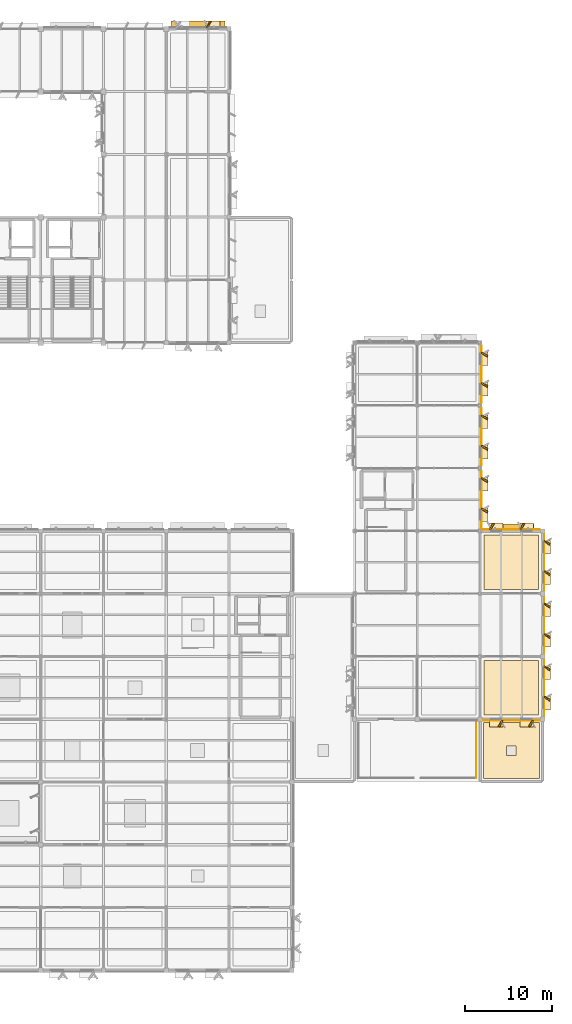
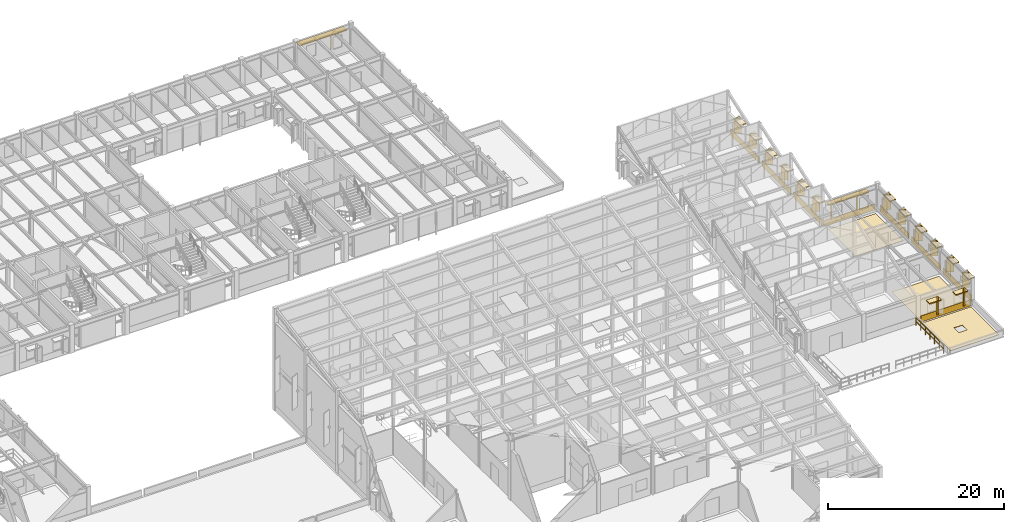
# One storey, part 82 of 82: 45 coverings, 2 shading devices, 1 railing.
"""IFC4 building model written with IfcOpenShell, lengths in metres."""

from ifc_helpers import new_model, si_unit, direction, frame, frame_2d, origin, origin_2d, place, context, subcontext, project, spatial, polyline, rectangle, circle, outline, extrude, material, layer, layer_set, type_object, element, save


model = new_model("IFC4")

# Units and contexts
model_context = context("Model", 3, precision=1e-05, world=origin(), true_north=direction((0.0, 1.0)))
body_context = subcontext(model_context, "Body", "Model", "MODEL_VIEW")
ifc_project = project(units=[si_unit("LENGTHUNIT", "METRE"), si_unit("AREAUNIT", "SQUARE_METRE"), si_unit("VOLUMEUNIT", "CUBIC_METRE"), si_unit("PLANEANGLEUNIT", "RADIAN"), si_unit("MASSUNIT", "GRAM", prefix="KILO")], contexts=[model_context])

# Site, building, storey
site_placement = place(None, origin())
site = spatial("IfcSite", under=ifc_project, at=site_placement, CompositionType="ELEMENT")
building_placement = place(site_placement, origin())
building = spatial("IfcBuilding", under=site, at=building_placement, Name="Sillqori Civic Hall", CompositionType="ELEMENT")
storey_placement = place(building_placement, frame((0.0, 0.0, 14.10009765625)))
storey = spatial("IfcBuildingStorey", under=building, at=storey_placement, Name="L04", CompositionType="ELEMENT", Elevation=14.10009765625)

# Coverings
ifc_material_1 = material(Name="Cochabamba Honed Limestone Cladding", Category="masonry")
ifc_layer_1 = layer(ifc_material_1, 0.044921875)
ifc_layer_set_1 = layer_set([ifc_layer_1], Name="Cochabamba Honed Limestone Cladding")
covering_type_1 = type_object("IfcCoveringType", Name="COV-CLAD-LIME", PredefinedType="CLADDING", material=ifc_layer_set_1)
covering_1_placement = place(storey_placement, frame((105.43408203125, 115.320068359375, 0.829833984375), z_axis=(0.0, 0.0, 1.0), x_axis=(0.499846793097, 0.866113839764, 0.0)))
element("IfcCovering", 1, at=covering_1_placement, inside=storey, type_object=covering_type_1, Name="Sawtooth limestone angled reveal cheek L04-14-15-N.2", PredefinedType="CLADDING", context=body_context, shape_type="SweptSolid", body=[
    extrude(rectangle(XDim=0.849853515625, YDim=0.179931640625, at=frame_2d((0.4248046875, 0.0))), origin(), (0.0, 0.0, 1.0), 2.0),
])
covering_2_placement = place(storey_placement, frame((105.3740234375, 115.699951171875, 2.68994140625), z_axis=(0.0, 0.0, 1.0), x_axis=(1.0, 0.0, 0.0)))
element("IfcCovering", 2, at=covering_2_placement, inside=storey, type_object=covering_type_1, Name="Sawtooth limestone window hood L04-14-15-N.2", PredefinedType="CLADDING", context=body_context, shape_type="SweptSolid", body=[
    extrude(rectangle(XDim=1.56005859375, YDim=0.780029296875, at=frame_2d((0.780029296875, 0.0))), origin(), (0.0, 0.0, 1.0), 0.139892578125),
])
covering_3_placement = place(storey_placement, frame((136.969970703125, 64.469970703125, 0.039794921875), z_axis=(0.0, 0.0, 1.0), x_axis=(0.0, -1.0, 0.0)))
element("IfcCovering", 3, at=covering_3_placement, inside=storey, type_object=covering_type_1, Name="L04 limestone spandrel cladding L04-18-08-E", PredefinedType="CLADDING", context=body_context, shape_type="SweptSolid", body=[
    extrude(rectangle(XDim=6.5400390625, YDim=0.044921875, at=frame_2d((3.27001953125, 0.0))), origin(), (0.0, 0.0, 1.0), 0.860107421875),
])
covering_4_placement = place(storey_placement, frame((136.929931640625, 63.662109375, 0.829833984375), z_axis=(0.0, 0.0, 1.0), x_axis=(0.865989465428, -0.500062241894, 0.0)))
element("IfcCovering", 4, at=covering_4_placement, inside=storey, type_object=covering_type_1, Name="Sawtooth limestone angled reveal cheek L04-18-08-E.1", PredefinedType="CLADDING", context=body_context, shape_type="SweptSolid", body=[
    extrude(rectangle(XDim=0.85009765625, YDim=0.179931640625, at=frame_2d((0.425048828125, 0.0))), origin(), (0.0, 0.0, 1.0), 2.0),
])
covering_5_placement = place(storey_placement, frame((137.31005859375, 63.721923828125, 2.68994140625), z_axis=(0.0, 0.0, 1.0), x_axis=(0.0, -1.0, 0.0)))
element("IfcCovering", 5, at=covering_5_placement, inside=storey, type_object=covering_type_1, Name="Sawtooth limestone window hood L04-18-08-E.1", PredefinedType="CLADDING", context=body_context, shape_type="SweptSolid", body=[
    extrude(rectangle(XDim=1.559814453125, YDim=0.780029296875, at=frame_2d((0.77978515625, 0.0))), origin(), (0.0, 0.0, 1.0), 0.139892578125),
])
covering_6_placement = place(storey_placement, frame((136.929931640625, 60.177978515625, 0.829833984375), z_axis=(0.0, 0.0, 1.0), x_axis=(0.865989465428, -0.500062241894, 0.0)))
element("IfcCovering", 6, at=covering_6_placement, inside=storey, type_object=covering_type_1, Name="Sawtooth limestone angled reveal cheek L04-18-08-E.2", PredefinedType="CLADDING", context=body_context, shape_type="SweptSolid", body=[
    extrude(rectangle(XDim=0.85009765625, YDim=0.179931640625, at=frame_2d((0.425048828125, 0.0))), origin(), (0.0, 0.0, 1.0), 2.0),
])
covering_7_placement = place(storey_placement, frame((137.31005859375, 60.238037109375, 2.68994140625), z_axis=(0.0, 0.0, 1.0), x_axis=(0.0, -1.0, 0.0)))
element("IfcCovering", 7, at=covering_7_placement, inside=storey, type_object=covering_type_1, Name="Sawtooth limestone window hood L04-18-08-E.2", PredefinedType="CLADDING", context=body_context, shape_type="SweptSolid", body=[
    extrude(rectangle(XDim=1.56005859375, YDim=0.780029296875, at=frame_2d((0.780029296875, 0.0))), origin(), (0.0, 0.0, 1.0), 0.139892578125),
])
covering_8_placement = place(storey_placement, frame((136.969970703125, 71.669921875, 0.039794921875), z_axis=(0.0, 0.0, 1.0), x_axis=(0.0, -1.0, 0.0)))
element("IfcCovering", 8, at=covering_8_placement, inside=storey, type_object=covering_type_1, Name="L04 limestone spandrel cladding L04-18-09-E", PredefinedType="CLADDING", context=body_context, shape_type="SweptSolid", body=[
    extrude(rectangle(XDim=6.5400390625, YDim=0.044921875, at=frame_2d((3.27001953125, 0.0))), origin(), (0.0, 0.0, 1.0), 0.860107421875),
])
covering_9_placement = place(storey_placement, frame((136.929931640625, 70.862060546875, 0.829833984375), z_axis=(0.0, 0.0, 1.0), x_axis=(0.865989465428, -0.500062241894, 0.0)))
element("IfcCovering", 9, at=covering_9_placement, inside=storey, type_object=covering_type_1, Name="Sawtooth limestone angled reveal cheek L04-18-09-E.1", PredefinedType="CLADDING", context=body_context, shape_type="SweptSolid", body=[
    extrude(rectangle(XDim=0.85009765625, YDim=0.179931640625, at=frame_2d((0.425048828125, 0.0))), origin(), (0.0, 0.0, 1.0), 2.0),
])
covering_10_placement = place(storey_placement, frame((137.31005859375, 70.922119140625, 2.68994140625), z_axis=(0.0, 0.0, 1.0), x_axis=(0.0, -1.0, 0.0)))
element("IfcCovering", 10, at=covering_10_placement, inside=storey, type_object=covering_type_1, Name="Sawtooth limestone window hood L04-18-09-E.1", PredefinedType="CLADDING", context=body_context, shape_type="SweptSolid", body=[
    extrude(rectangle(XDim=1.56005859375, YDim=0.780029296875, at=frame_2d((0.780029296875, 0.0))), origin(), (0.0, 0.0, 1.0), 0.139892578125),
])
covering_11_placement = place(storey_placement, frame((136.929931640625, 67.3779296875, 0.829833984375), z_axis=(0.0, 0.0, 1.0), x_axis=(0.865989465428, -0.500062241894, 0.0)))
element("IfcCovering", 11, at=covering_11_placement, inside=storey, type_object=covering_type_1, Name="Sawtooth limestone angled reveal cheek L04-18-09-E.2", PredefinedType="CLADDING", context=body_context, shape_type="SweptSolid", body=[
    extrude(rectangle(XDim=0.85009765625, YDim=0.179931640625, at=frame_2d((0.425048828125, 0.0))), origin(), (0.0, 0.0, 1.0), 2.0),
])
covering_12_placement = place(storey_placement, frame((137.31005859375, 67.43798828125, 2.68994140625), z_axis=(0.0, 0.0, 1.0), x_axis=(0.0, -1.0, 0.0)))
element("IfcCovering", 12, at=covering_12_placement, inside=storey, type_object=covering_type_1, Name="Sawtooth limestone window hood L04-18-09-E.2", PredefinedType="CLADDING", context=body_context, shape_type="SweptSolid", body=[
    extrude(rectangle(XDim=1.56005859375, YDim=0.780029296875, at=frame_2d((0.780029296875, 0.0))), origin(), (0.0, 0.0, 1.0), 0.139892578125),
])
covering_13_placement = place(storey_placement, frame((136.969970703125, 78.8701171875, 0.039794921875), z_axis=(0.0, 0.0, 1.0), x_axis=(0.0, -1.0, 0.0)))
element("IfcCovering", 13, at=covering_13_placement, inside=storey, type_object=covering_type_1, Name="L04 limestone spandrel cladding L04-18-10-E", PredefinedType="CLADDING", context=body_context, shape_type="SweptSolid", body=[
    extrude(rectangle(XDim=6.5400390625, YDim=0.044921875, at=frame_2d((3.27001953125, 0.0))), origin(), (0.0, 0.0, 1.0), 0.860107421875),
])
covering_14_placement = place(storey_placement, frame((136.929931640625, 78.06201171875, 0.829833984375), z_axis=(0.0, 0.0, 1.0), x_axis=(0.865989465428, -0.500062241894, 0.0)))
element("IfcCovering", 14, at=covering_14_placement, inside=storey, type_object=covering_type_1, Name="Sawtooth limestone angled reveal cheek L04-18-10-E.1", PredefinedType="CLADDING", context=body_context, shape_type="SweptSolid", body=[
    extrude(rectangle(XDim=0.85009765625, YDim=0.179931640625, at=frame_2d((0.425048828125, 0.0))), origin(), (0.0, 0.0, 1.0), 2.0),
])
covering_15_placement = place(storey_placement, frame((137.31005859375, 78.1220703125, 2.68994140625), z_axis=(0.0, 0.0, 1.0), x_axis=(0.0, -1.0, 0.0)))
element("IfcCovering", 15, at=covering_15_placement, inside=storey, type_object=covering_type_1, Name="Sawtooth limestone window hood L04-18-10-E.1", PredefinedType="CLADDING", context=body_context, shape_type="SweptSolid", body=[
    extrude(rectangle(XDim=1.56005859375, YDim=0.780029296875, at=frame_2d((0.780029296875, 0.0))), origin(), (0.0, 0.0, 1.0), 0.139892578125),
])
covering_16_placement = place(storey_placement, frame((136.929931640625, 74.577880859375, 0.829833984375), z_axis=(0.0, 0.0, 1.0), x_axis=(0.866113839764, -0.499846793097, 0.0)))
element("IfcCovering", 16, at=covering_16_placement, inside=storey, type_object=covering_type_1, Name="Sawtooth limestone angled reveal cheek L04-18-10-E.2", PredefinedType="CLADDING", context=body_context, shape_type="SweptSolid", body=[
    extrude(rectangle(XDim=0.849853515625, YDim=0.179931640625, at=frame_2d((0.4248046875, 0.0))), origin(), (0.0, 0.0, 1.0), 2.0),
])
covering_17_placement = place(storey_placement, frame((137.31005859375, 74.637939453125, 2.68994140625), z_axis=(0.0, 0.0, 1.0), x_axis=(0.0, -1.0, 0.0)))
element("IfcCovering", 17, at=covering_17_placement, inside=storey, type_object=covering_type_1, Name="Sawtooth limestone window hood L04-18-10-E.2", PredefinedType="CLADDING", context=body_context, shape_type="SweptSolid", body=[
    extrude(rectangle(XDim=1.56005859375, YDim=0.780029296875, at=frame_2d((0.780029296875, 0.0))), origin(), (0.0, 0.0, 1.0), 0.139892578125),
])
covering_18_placement = place(storey_placement, frame((143.669921875, 35.830078125, 0.039794921875), z_axis=(0.0, 0.0, 1.0), x_axis=(-1.0, 0.0, 0.0)))
element("IfcCovering", 18, at=covering_18_placement, inside=storey, type_object=covering_type_1, Name="L04 limestone spandrel cladding L04-19-05-S", PredefinedType="CLADDING", context=body_context, shape_type="SweptSolid", body=[
    extrude(rectangle(XDim=6.5400390625, YDim=0.044921875, at=frame_2d((3.27001953125, 0.0))), origin(), (0.0, 0.0, 1.0), 0.860107421875),
])
covering_19_placement = place(storey_placement, frame((142.862060546875, 35.8701171875, 0.829833984375), z_axis=(0.0, 0.0, 1.0), x_axis=(-0.499937884402, -0.866061263272, 0.0)))
element("IfcCovering", 19, at=covering_19_placement, inside=storey, type_object=covering_type_1, Name="Sawtooth limestone angled reveal cheek L04-19-05-S.1", PredefinedType="CLADDING", context=body_context, shape_type="SweptSolid", body=[
    extrude(rectangle(XDim=0.85009765625, YDim=0.179931640625, at=frame_2d((0.425048828125, 0.0))), origin(), (0.0, 0.0, 1.0), 2.0),
])
covering_20_placement = place(storey_placement, frame((142.922119140625, 35.489990234375, 2.68994140625), z_axis=(0.0, 0.0, 1.0), x_axis=(-1.0, 0.0, 0.0)))
element("IfcCovering", 20, at=covering_20_placement, inside=storey, type_object=covering_type_1, Name="Sawtooth limestone window hood L04-19-05-S.1", PredefinedType="CLADDING", context=body_context, shape_type="SweptSolid", body=[
    extrude(rectangle(XDim=1.56005859375, YDim=0.780029296875, at=frame_2d((0.780029296875, 0.0))), origin(), (0.0, 0.0, 1.0), 0.139892578125),
])
covering_21_placement = place(storey_placement, frame((139.3779296875, 35.8701171875, 0.829833984375), z_axis=(0.0, 0.0, 1.0), x_axis=(-0.499937884402, -0.866061263272, 0.0)))
element("IfcCovering", 21, at=covering_21_placement, inside=storey, type_object=covering_type_1, Name="Sawtooth limestone angled reveal cheek L04-19-05-S.2", PredefinedType="CLADDING", context=body_context, shape_type="SweptSolid", body=[
    extrude(rectangle(XDim=0.85009765625, YDim=0.179931640625, at=frame_2d((0.425048828125, 0.0))), origin(), (0.0, 0.0, 1.0), 2.0),
])
covering_22_placement = place(storey_placement, frame((139.43798828125, 35.489990234375, 2.68994140625), z_axis=(0.0, 0.0, 1.0), x_axis=(-1.0, 0.0, 0.0)))
element("IfcCovering", 22, at=covering_22_placement, inside=storey, type_object=covering_type_1, Name="Sawtooth limestone window hood L04-19-05-S.2", PredefinedType="CLADDING", context=body_context, shape_type="SweptSolid", body=[
    extrude(rectangle(XDim=1.56005859375, YDim=0.780029296875, at=frame_2d((0.780029296875, 0.0))), origin(), (0.0, 0.0, 1.0), 0.139892578125),
])
covering_23_placement = place(storey_placement, frame((144.169921875, 42.8701171875, 0.039794921875), z_axis=(0.0, 0.0, 1.0), x_axis=(0.0, -1.0, 0.0)))
element("IfcCovering", 23, at=covering_23_placement, inside=storey, type_object=covering_type_1, Name="L04 limestone spandrel cladding L04-19-05-E", PredefinedType="CLADDING", context=body_context, shape_type="SweptSolid", body=[
    extrude(rectangle(XDim=6.5400390625, YDim=0.044921875, at=frame_2d((3.27001953125, 0.0))), origin(), (0.0, 0.0, 1.0), 0.860107421875),
])
covering_24_placement = place(storey_placement, frame((144.1298828125, 42.06201171875, 0.829833984375), z_axis=(0.0, 0.0, 1.0), x_axis=(0.866061263272, -0.499937884402, 0.0)))
element("IfcCovering", 24, at=covering_24_placement, inside=storey, type_object=covering_type_1, Name="Sawtooth limestone angled reveal cheek L04-19-05-E.1", PredefinedType="CLADDING", context=body_context, shape_type="SweptSolid", body=[
    extrude(rectangle(XDim=0.85009765625, YDim=0.179931640625, at=frame_2d((0.425048828125, 0.0))), origin(), (0.0, 0.0, 1.0), 2.0),
])
covering_25_placement = place(storey_placement, frame((144.510009765625, 42.1220703125, 2.68994140625), z_axis=(0.0, 0.0, 1.0), x_axis=(0.0, -1.0, 0.0)))
element("IfcCovering", 25, at=covering_25_placement, inside=storey, type_object=covering_type_1, Name="Sawtooth limestone window hood L04-19-05-E.1", PredefinedType="CLADDING", context=body_context, shape_type="SweptSolid", body=[
    extrude(rectangle(XDim=1.56005859375, YDim=0.780029296875, at=frame_2d((0.780029296875, 0.0))), origin(), (0.0, 0.0, 1.0), 0.139892578125),
])
covering_26_placement = place(storey_placement, frame((144.1298828125, 38.577880859375, 0.829833984375), z_axis=(0.0, 0.0, 1.0), x_axis=(0.866185586049, -0.49972245349, 0.0)))
element("IfcCovering", 26, at=covering_26_placement, inside=storey, type_object=covering_type_1, Name="Sawtooth limestone angled reveal cheek L04-19-05-E.2", PredefinedType="CLADDING", context=body_context, shape_type="SweptSolid", body=[
    extrude(rectangle(XDim=0.85009765625, YDim=0.179931640625, at=frame_2d((0.425048828125, 0.0))), origin(), (0.0, 0.0, 1.0), 2.0),
])
covering_27_placement = place(storey_placement, frame((144.510009765625, 38.637939453125, 2.68994140625), z_axis=(0.0, 0.0, 1.0), x_axis=(0.0, -1.0, 0.0)))
element("IfcCovering", 27, at=covering_27_placement, inside=storey, type_object=covering_type_1, Name="Sawtooth limestone window hood L04-19-05-E.2", PredefinedType="CLADDING", context=body_context, shape_type="SweptSolid", body=[
    extrude(rectangle(XDim=1.56005859375, YDim=0.780029296875, at=frame_2d((0.780029296875, 0.0))), origin(), (0.0, 0.0, 1.0), 0.139892578125),
])
covering_28_placement = place(storey_placement, frame((144.169921875, 50.070068359375, 0.039794921875), z_axis=(0.0, 0.0, 1.0), x_axis=(0.0, -1.0, 0.0)))
element("IfcCovering", 28, at=covering_28_placement, inside=storey, type_object=covering_type_1, Name="L04 limestone spandrel cladding L04-19-06-E", PredefinedType="CLADDING", context=body_context, shape_type="SweptSolid", body=[
    extrude(rectangle(XDim=6.5400390625, YDim=0.044921875, at=frame_2d((3.27001953125, 0.0))), origin(), (0.0, 0.0, 1.0), 0.860107421875),
])
covering_29_placement = place(storey_placement, frame((144.1298828125, 49.261962890625, 0.829833984375), z_axis=(0.0, 0.0, 1.0), x_axis=(0.866061263272, -0.499937884402, 0.0)))
element("IfcCovering", 29, at=covering_29_placement, inside=storey, type_object=covering_type_1, Name="Sawtooth limestone angled reveal cheek L04-19-06-E.1", PredefinedType="CLADDING", context=body_context, shape_type="SweptSolid", body=[
    extrude(rectangle(XDim=0.85009765625, YDim=0.179931640625, at=frame_2d((0.425048828125, 0.0))), origin(), (0.0, 0.0, 1.0), 2.0),
])
covering_30_placement = place(storey_placement, frame((144.510009765625, 49.322021484375, 2.68994140625), z_axis=(0.0, 0.0, 1.0), x_axis=(0.0, -1.0, 0.0)))
element("IfcCovering", 30, at=covering_30_placement, inside=storey, type_object=covering_type_1, Name="Sawtooth limestone window hood L04-19-06-E.1", PredefinedType="CLADDING", context=body_context, shape_type="SweptSolid", body=[
    extrude(rectangle(XDim=1.56005859375, YDim=0.780029296875, at=frame_2d((0.780029296875, 0.0))), origin(), (0.0, 0.0, 1.0), 0.139892578125),
])
covering_31_placement = place(storey_placement, frame((144.1298828125, 45.778076171875, 0.829833984375), z_axis=(0.0, 0.0, 1.0), x_axis=(0.866061263272, -0.499937884402, 0.0)))
element("IfcCovering", 31, at=covering_31_placement, inside=storey, type_object=covering_type_1, Name="Sawtooth limestone angled reveal cheek L04-19-06-E.2", PredefinedType="CLADDING", context=body_context, shape_type="SweptSolid", body=[
    extrude(rectangle(XDim=0.85009765625, YDim=0.179931640625, at=frame_2d((0.425048828125, 0.0))), origin(), (0.0, 0.0, 1.0), 2.0),
])
covering_32_placement = place(storey_placement, frame((144.510009765625, 45.837890625, 2.68994140625), z_axis=(0.0, 0.0, 1.0), x_axis=(0.0, -1.0, 0.0)))
element("IfcCovering", 32, at=covering_32_placement, inside=storey, type_object=covering_type_1, Name="Sawtooth limestone window hood L04-19-06-E.2", PredefinedType="CLADDING", context=body_context, shape_type="SweptSolid", body=[
    extrude(rectangle(XDim=1.559814453125, YDim=0.780029296875, at=frame_2d((0.77978515625, 0.0))), origin(), (0.0, 0.0, 1.0), 0.139892578125),
])
covering_33_placement = place(storey_placement, frame((137.1298828125, 57.77001953125, 0.039794921875), z_axis=(0.0, 0.0, 1.0), x_axis=(1.0, 0.0, 0.0)))
element("IfcCovering", 33, at=covering_33_placement, inside=storey, type_object=covering_type_1, Name="L04 limestone spandrel cladding L04-19-07-N", PredefinedType="CLADDING", context=body_context, shape_type="SweptSolid", body=[
    extrude(rectangle(XDim=6.5400390625, YDim=0.044921875, at=frame_2d((3.27001953125, 0.0))), origin(), (0.0, 0.0, 1.0), 0.860107421875),
])
covering_34_placement = place(storey_placement, frame((137.93798828125, 57.72998046875, 0.829833984375), z_axis=(0.0, 0.0, 1.0), x_axis=(0.500062241894, 0.865989465428, 0.0)))
element("IfcCovering", 34, at=covering_34_placement, inside=storey, type_object=covering_type_1, Name="Sawtooth limestone angled reveal cheek L04-19-07-N.1", PredefinedType="CLADDING", context=body_context, shape_type="SweptSolid", body=[
    extrude(rectangle(XDim=0.85009765625, YDim=0.179931640625, at=frame_2d((0.425048828125, 0.0))), origin(), (0.0, 0.0, 1.0), 2.0),
])
covering_35_placement = place(storey_placement, frame((137.8779296875, 58.110107421875, 2.68994140625), z_axis=(0.0, 0.0, 1.0), x_axis=(1.0, 0.0, 0.0)))
element("IfcCovering", 35, at=covering_35_placement, inside=storey, type_object=covering_type_1, Name="Sawtooth limestone window hood L04-19-07-N.1", PredefinedType="CLADDING", context=body_context, shape_type="SweptSolid", body=[
    extrude(rectangle(XDim=1.56005859375, YDim=0.780029296875, at=frame_2d((0.780029296875, 0.0))), origin(), (0.0, 0.0, 1.0), 0.139892578125),
])
covering_36_placement = place(storey_placement, frame((141.422119140625, 57.72998046875, 0.829833984375), z_axis=(0.0, 0.0, 1.0), x_axis=(0.499846793097, 0.866113839764, 0.0)))
element("IfcCovering", 36, at=covering_36_placement, inside=storey, type_object=covering_type_1, Name="Sawtooth limestone angled reveal cheek L04-19-07-N.2", PredefinedType="CLADDING", context=body_context, shape_type="SweptSolid", body=[
    extrude(rectangle(XDim=0.849853515625, YDim=0.179931640625, at=frame_2d((0.4248046875, 0.0))), origin(), (0.0, 0.0, 1.0), 2.0),
])
covering_37_placement = place(storey_placement, frame((141.362060546875, 58.110107421875, 2.68994140625), z_axis=(0.0, 0.0, 1.0), x_axis=(1.0, 0.0, 0.0)))
element("IfcCovering", 37, at=covering_37_placement, inside=storey, type_object=covering_type_1, Name="Sawtooth limestone window hood L04-19-07-N.2", PredefinedType="CLADDING", context=body_context, shape_type="SweptSolid", body=[
    extrude(rectangle(XDim=1.56005859375, YDim=0.780029296875, at=frame_2d((0.780029296875, 0.0))), origin(), (0.0, 0.0, 1.0), 0.139892578125),
])
covering_38_placement = place(storey_placement, frame((144.169921875, 57.27001953125, 0.039794921875), z_axis=(0.0, 0.0, 1.0), x_axis=(0.0, -1.0, 0.0)))
element("IfcCovering", 38, at=covering_38_placement, inside=storey, type_object=covering_type_1, Name="L04 limestone spandrel cladding L04-19-07-E", PredefinedType="CLADDING", context=body_context, shape_type="SweptSolid", body=[
    extrude(rectangle(XDim=6.5400390625, YDim=0.044921875, at=frame_2d((3.27001953125, 0.0))), origin(), (0.0, 0.0, 1.0), 0.860107421875),
])
covering_39_placement = place(storey_placement, frame((144.1298828125, 56.4619140625, 0.829833984375), z_axis=(0.0, 0.0, 1.0), x_axis=(0.866185586049, -0.49972245349, 0.0)))
element("IfcCovering", 39, at=covering_39_placement, inside=storey, type_object=covering_type_1, Name="Sawtooth limestone angled reveal cheek L04-19-07-E.1", PredefinedType="CLADDING", context=body_context, shape_type="SweptSolid", body=[
    extrude(rectangle(XDim=0.85009765625, YDim=0.179931640625, at=frame_2d((0.425048828125, 0.0))), origin(), (0.0, 0.0, 1.0), 2.0),
])
covering_40_placement = place(storey_placement, frame((144.510009765625, 56.52197265625, 2.68994140625), z_axis=(0.0, 0.0, 1.0), x_axis=(0.0, -1.0, 0.0)))
element("IfcCovering", 40, at=covering_40_placement, inside=storey, type_object=covering_type_1, Name="Sawtooth limestone window hood L04-19-07-E.1", PredefinedType="CLADDING", context=body_context, shape_type="SweptSolid", body=[
    extrude(rectangle(XDim=1.56005859375, YDim=0.780029296875, at=frame_2d((0.780029296875, 0.0))), origin(), (0.0, 0.0, 1.0), 0.139892578125),
])
covering_41_placement = place(storey_placement, frame((144.1298828125, 52.97802734375, 0.829833984375), z_axis=(0.0, 0.0, 1.0), x_axis=(0.866061263272, -0.499937884402, 0.0)))
element("IfcCovering", 41, at=covering_41_placement, inside=storey, type_object=covering_type_1, Name="Sawtooth limestone angled reveal cheek L04-19-07-E.2", PredefinedType="CLADDING", context=body_context, shape_type="SweptSolid", body=[
    extrude(rectangle(XDim=0.85009765625, YDim=0.179931640625, at=frame_2d((0.425048828125, 0.0))), origin(), (0.0, 0.0, 1.0), 2.0),
])
covering_42_placement = place(storey_placement, frame((144.510009765625, 53.0380859375, 2.68994140625), z_axis=(0.0, 0.0, 1.0), x_axis=(0.0, -1.0, 0.0)))
element("IfcCovering", 42, at=covering_42_placement, inside=storey, type_object=covering_type_1, Name="Sawtooth limestone window hood L04-19-07-E.2", PredefinedType="CLADDING", context=body_context, shape_type="SweptSolid", body=[
    extrude(rectangle(XDim=1.56005859375, YDim=0.780029296875, at=frame_2d((0.780029296875, 0.0))), origin(), (0.0, 0.0, 1.0), 0.139892578125),
])
ifc_material_2 = material(Name="Dust-Sealed Heavy-Duty Archive Epoxy", Category="resin")
ifc_layer_2 = layer(ifc_material_2, 0.014892578125)
ifc_layer_set_2 = layer_set([ifc_layer_2], Name="Dust-Sealed Heavy-Duty Archive Epoxy")
covering_type_2 = type_object("IfcCoveringType", Name="COV-FLR-EPX", PredefinedType="FLOORING", material=ifc_layer_set_2)
covering_43_placement = place(storey_placement, origin())
element("IfcCovering", 43, at=covering_43_placement, inside=storey, type_object=covering_type_2, Name="Parliamentary Scholars Study Room L04-06 floor finish", PredefinedType="FLOORING", context=body_context, shape_type="SweptSolid", body=[
    extrude(outline(polyline([(137.280029296875, 50.8798828125), (143.52001953125, 50.8798828125), (143.52001953125, 57.1201171875), (137.280029296875, 57.1201171875), (137.280029296875, 50.8798828125)])), origin(), (0.0, 0.0, 1.0), 0.014892578125),
])
ifc_material_3 = material(Name="Slip-Resistant R11 Porcelain Tile", Category="ceramic")
ifc_layer_3 = layer(ifc_material_3, 0.02001953125)
ifc_layer_set_3 = layer_set([ifc_layer_3], Name="Slip-Resistant R11 Porcelain Tile")
covering_type_3 = type_object("IfcCoveringType", Name="COV-FLR-POR", PredefinedType="FLOORING", material=ifc_layer_set_3)
covering_44_placement = place(storey_placement, origin())
element("IfcCovering", 44, at=covering_44_placement, inside=storey, type_object=covering_type_3, Name="Constitutional Law Open Book Stacks L04-05 floor finish", PredefinedType="FLOORING", context=body_context, shape_type="SweptSolid", body=[
    extrude(outline(polyline([(137.280029296875, 36.47998046875), (143.52001953125, 36.47998046875), (143.52001953125, 42.719970703125), (137.280029296875, 42.719970703125), (137.280029296875, 36.47998046875)])), origin(), (0.0, 0.0, 1.0), 0.02001953125),
])
ifc_material_4 = material(Name="Insulated Standing-Seam Solar Roof Membrane", Category="membrane")
ifc_layer_4 = layer(ifc_material_4, 0.054931640625)
ifc_layer_set_4 = layer_set([ifc_layer_4], Name="Insulated Standing-Seam Solar Roof Membrane")
covering_type_4 = type_object("IfcCoveringType", Name="COV-ROOF-TPO", PredefinedType="ROOFING", material=ifc_layer_set_4)
covering_45_placement = place(storey_placement, origin())
element("IfcCovering", 45, at=covering_45_placement, inside=storey, type_object=covering_type_4, Name="L04 insulated TPO roof membrane ROOF-FLAT-L03-3", PredefinedType="ROOFING", context=body_context, shape_type="SweptSolid", body=[
    extrude(outline(polyline([(137.199951171875, 29.199951171875), (143.60009765625, 29.199951171875), (143.60009765625, 35.60009765625), (137.199951171875, 35.60009765625), (137.199951171875, 29.199951171875)]), holes=[polyline([(139.85009765625, 31.85009765625), (139.85009765625, 32.949951171875), (140.949951171875, 32.949951171875), (140.949951171875, 31.85009765625), (139.85009765625, 31.85009765625)])]), origin(), (0.0, 0.0, 1.0), 0.054931640625),
])

# Railing
ifc_material_5 = material(Name="Stainless Steel 316 and Laminated Balustrade", Category="steel")
ifc_layer_5 = layer(ifc_material_5, 0.06005859375)
ifc_layer_set_5 = layer_set([ifc_layer_5], Name="Stainless Steel 316 and Laminated Balustrade")
railing_type = type_object("IfcRailingType", Name="RLG-TERR-112", PredefinedType="GUARDRAIL", material=ifc_layer_set_5)
railing_placement = place(storey_placement, frame((136.360107421875, 29.239990234375, 0.0)))
element("IfcRailing", 46, at=railing_placement, inside=storey, type_object=railing_type, Name="Archive Clerestory Terrace perimeter guard E-04", PredefinedType="GUARDRAIL", context=body_context, shape_type="SweptSolid", body=[
    extrude(circle(Radius=0.02392578125, at=origin_2d()), frame((0.0, 0.0, 1.09619140625), z_axis=(0.0, 1.0, 0.0), x_axis=(-1.0, 0.0, 0.0)), (0.0, 0.0, 1.0), 6.320068359375),
    extrude(circle(Radius=0.02392578125, at=origin_2d()), frame((0.0, 0.0, 0.56005859375), z_axis=(0.0, 1.0, 0.0), x_axis=(-1.0, 0.0, 0.0)), (0.0, 0.0, 1.0), 6.320068359375),
    extrude(circle(Radius=0.02099609375, at=origin_2d()), origin(), (0.0, 0.0, 1.0), 1.072021484375),
    extrude(circle(Radius=0.02099609375, at=origin_2d()), frame((0.0, 1.05322265625, 0.0)), (0.0, 0.0, 1.0), 1.072021484375),
    extrude(circle(Radius=0.02099609375, at=origin_2d()), frame((0.0, 2.106689453125, 0.0)), (0.0, 0.0, 1.0), 1.072021484375),
    extrude(circle(Radius=0.02099609375, at=origin_2d()), frame((0.0, 3.16015625, 0.0)), (0.0, 0.0, 1.0), 1.072021484375),
    extrude(circle(Radius=0.02099609375, at=origin_2d()), frame((0.0, 4.21337890625, 0.0)), (0.0, 0.0, 1.0), 1.072021484375),
    extrude(circle(Radius=0.02099609375, at=origin_2d()), frame((0.0, 5.2666015625, 0.0)), (0.0, 0.0, 1.0), 1.072021484375),
    extrude(circle(Radius=0.02099609375, at=origin_2d()), frame((0.0, 6.320068359375, 0.0)), (0.0, 0.0, 1.0), 1.072021484375),
])

# Shading devices
ifc_material_6 = material(Name="Anodized Aluminium Solar Control Louvre", Category="aluminium")
shading_device_type_1 = type_object("IfcShadingDeviceType", Name="SHD-HOOD-520", PredefinedType="JALOUSIE", material=ifc_material_6)
shading_device_1_placement = place(storey_placement, frame((140.39990234375, 58.074951171875, 2.7197265625), z_axis=(0.0, 0.0, 1.0), x_axis=(1.0, 0.0, 0.0)))
element("IfcShadingDevice", 47, at=shading_device_1_placement, inside=storey, type_object=shading_device_type_1, Name="L04 north solar hood L04-19-07-N", PredefinedType="JALOUSIE", context=body_context, shape_type="SweptSolid", body=[
    extrude(rectangle(XDim=5.199951171875, YDim=0.679931640625, at=origin_2d()), origin(), (0.0, 0.0, 1.0), 0.139892578125),
])
shading_device_type_2 = type_object("IfcShadingDeviceType", Name="SHD-HOOD-620", PredefinedType="JALOUSIE", material=ifc_material_6)
shading_device_2_placement = place(storey_placement, frame((104.425048828125, 115.72509765625, 2.7197265625), z_axis=(0.0, 0.0, 1.0), x_axis=(1.0, 0.0, 0.0)))
element("IfcShadingDevice", 48, at=shading_device_2_placement, inside=storey, type_object=shading_device_type_2, Name="L04 north solar hood L04-14-15-N", PredefinedType="JALOUSIE", context=body_context, shape_type="SweptSolid", body=[
    extrude(rectangle(XDim=6.199951171875, YDim=0.800048828125, at=origin_2d()), origin(), (0.0, 0.0, 1.0), 0.139892578125),
])

save(model, "model.ifc")
